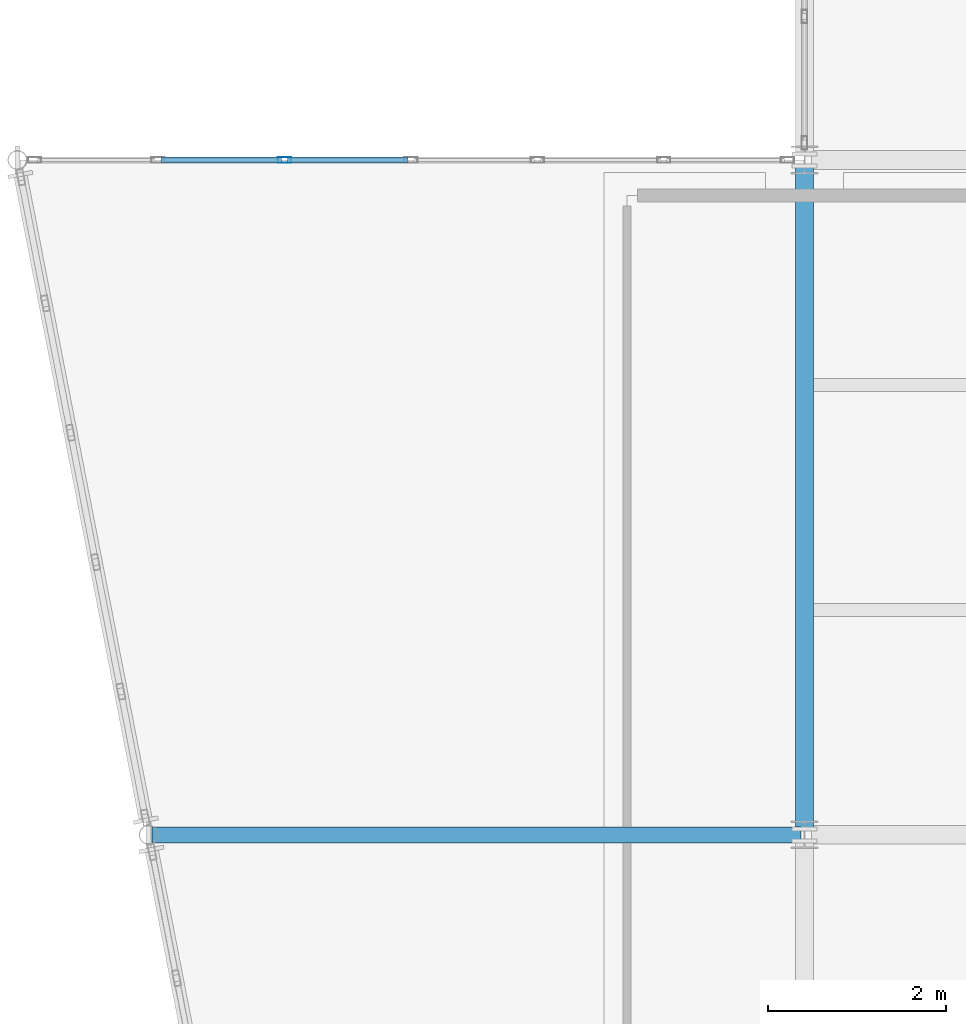
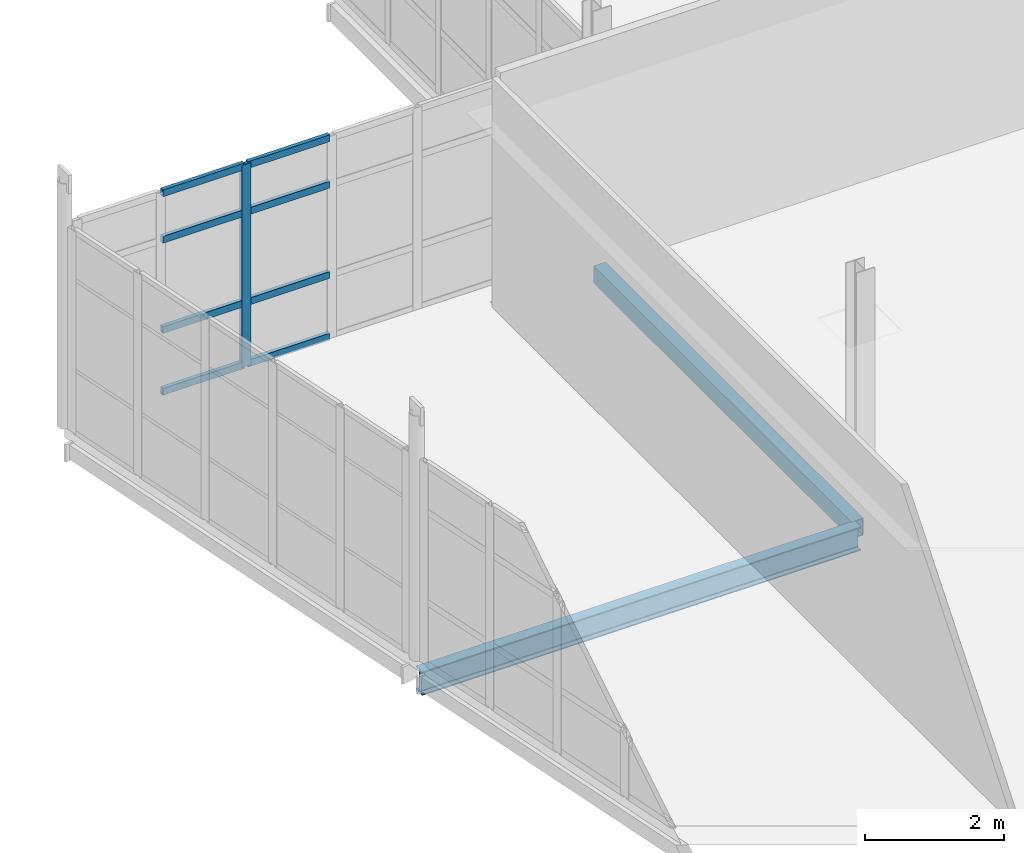
# One storey, part 102 of 166: 9 members, 2 beams, 1 element without a shape of its own.
"""IFC4 building model written with IfcOpenShell, lengths in metres."""

from ifc_helpers import new_model, si_unit, direction, frame, origin, origin_2d, place, context, subcontext, project, spatial, hollow_rectangle, i_section, extrude, material, material_profile, profile_set, type_object, element, aggregate, save


model = new_model("IFC4")

# Units and contexts
model_context = context("Model", 3, precision=1e-05, world=origin(), true_north=direction((0.0, 1.0)))
body_context = subcontext(model_context, "Body", "Model", "MODEL_VIEW")
ifc_project = project(units=[si_unit("LENGTHUNIT", "METRE"), si_unit("AREAUNIT", "SQUARE_METRE"), si_unit("VOLUMEUNIT", "CUBIC_METRE"), si_unit("PLANEANGLEUNIT", "RADIAN"), si_unit("MASSUNIT", "GRAM", prefix="KILO")], contexts=[model_context])

# Site, building, storey
site_placement = place(None, origin())
site = spatial("IfcSite", under=ifc_project, at=site_placement, CompositionType="ELEMENT")
building_placement = place(site_placement, origin())
building = spatial("IfcBuilding", under=site, at=building_placement, Name="Caisbarro Railhouse Central Library", CompositionType="ELEMENT")
storey_placement = place(building_placement, frame((0.0, 0.0, 9.360107421875)))
storey = spatial("IfcBuildingStorey", under=building, at=storey_placement, Name="L02", CompositionType="ELEMENT", Elevation=9.360107421875)

# Beams
ifc_material_1 = material(Name="Steel ASTM A572 Grade 50", Category="steel")
ifc_material_profile_1 = material_profile(ifc_material_1, i_section(OverallWidth=0.180908203125, OverallDepth=0.4169921875, WebThickness=0.010986328125, FlangeThickness=0.018310546875, FilletRadius=0.01611328125, at=origin_2d()), Name="W410X85.0")
ifc_profile_set_1 = profile_set([ifc_material_profile_1], Name="Steel ASTM A572 Grade 50")
beam_type_1 = type_object("IfcBeamType", Name="BM-G09", PredefinedType="BEAM", material=ifc_profile_set_1)
beam_1_placement = place(storey_placement, frame((109.654052734375, 98.800048828125, -0.4287109375), z_axis=(1.0, 0.0, 0.0), x_axis=(0.0, 1.0, 0.0)))
element("IfcBeam", 1, at=beam_1_placement, inside=storey, type_object=beam_type_1, Name="G09 beam L02 #1752", PredefinedType="BEAM", context=body_context, shape_type="SweptSolid", body=[
    extrude(i_section(OverallWidth=0.180908203125, OverallDepth=0.4169921875, WebThickness=0.010986328125, FlangeThickness=0.018310546875, FilletRadius=0.01611328125, at=origin_2d()), origin(), (0.0, 0.0, 1.0), 7.305908203125),
])
ifc_material_profile_2 = material_profile(ifc_material_1, hollow_rectangle(XDim=0.199951171875, YDim=0.300048828125, WallThickness=0.012451171875, at=origin_2d()), Name="HSS300X200X12.5")
ifc_profile_set_2 = profile_set([ifc_material_profile_2], Name="Steel ASTM A572 Grade 50")
beam_type_2 = type_object("IfcBeamType", Name="BM-SP02", PredefinedType="SPANDREL", material=ifc_profile_set_2)
beam_2_placement = place(storey_placement, frame((117.0, 98.8798828125, -0.3701171875), z_axis=(0.0, 1.0, 0.0), x_axis=(-1.0, 0.0, 0.0)))
element("IfcBeam", 2, at=beam_2_placement, inside=storey, type_object=beam_type_2, Name="SP02 beam L02 #1511", PredefinedType="SPANDREL", context=body_context, shape_type="SweptSolid", body=[
    extrude(hollow_rectangle(XDim=0.199951171875, YDim=0.300048828125, WallThickness=0.012451171875, at=origin_2d()), origin(), (0.0, 0.0, 1.0), 7.440185546875),
])

# Curtain wall, members
ifc_material_2 = material(Name="Anodised architectural aluminium", Category="aluminium")
curtain_wall_type = type_object("IfcCurtainWallType", Name="CW-CW03", PredefinedType="NOTDEFINED", material=ifc_material_2)
curtain_wall_placement = place(storey_placement, origin())
curtain_wall = element("IfcCurtainWall", 3, at=curtain_wall_placement, inside=storey, type_object=curtain_wall_type, Name="CW03 curtain wall L02 #131", PredefinedType="NOTDEFINED")
ifc_material_profile_3 = material_profile(ifc_material_2, hollow_rectangle(XDim=0.06494140625, YDim=0.14990234375, WallThickness=0.00390625, at=origin_2d()), Name="ALU-MUL-65X150")
ifc_profile_set_3 = profile_set([ifc_material_profile_3], Name="Anodised architectural aluminium")
member_type_1 = type_object("IfcMemberType", Name="CWM-M02", PredefinedType="MULLION", material=ifc_profile_set_3)
member_1_placement = place(storey_placement, frame((111.14404296875, 106.39990234375, 0.0), z_axis=(0.0, 0.0, 1.0), x_axis=(0.0, 1.0, 0.0)))
member_1 = element("IfcMember", 4, at=member_1_placement, type_object=member_type_1, Name="CW03 mullion 3", PredefinedType="MULLION", context=body_context, shape_type="SweptSolid", body=[
    extrude(hollow_rectangle(XDim=0.06494140625, YDim=0.14990234375, WallThickness=0.00390625, at=origin_2d()), origin(), (0.0, 0.0, 1.0), 3.559814453125),
])
ifc_material_profile_4 = material_profile(ifc_material_2, hollow_rectangle(XDim=0.06494140625, YDim=0.1201171875, WallThickness=0.00341796875, at=origin_2d()), Name="ALU-TRN-65X120")
ifc_profile_set_4 = profile_set([ifc_material_profile_4], Name="Anodised architectural aluminium")
member_type_2 = type_object("IfcMemberType", Name="CWT-T02", PredefinedType="USERDEFINED", material=ifc_profile_set_4)
member_2_placement = place(storey_placement, frame((109.75244140625, 106.39990234375, 0.032470703125), z_axis=(1.0, 0.0, 0.0), x_axis=(0.0, 1.0, 0.0)))
member_2 = element("IfcMember", 5, at=member_2_placement, type_object=member_type_2, Name="CW03 transom 2.1", ObjectType="TRANSOM", PredefinedType="USERDEFINED", context=body_context, shape_type="SweptSolid", body=[
    extrude(hollow_rectangle(XDim=0.06494140625, YDim=0.1201171875, WallThickness=0.00341796875, at=origin_2d()), origin(), (0.0, 0.0, 1.0), 1.359130859375),
])
member_3_placement = place(storey_placement, frame((109.75244140625, 106.39990234375, 1.119873046875), z_axis=(1.0, 0.0, 0.0), x_axis=(0.0, 1.0, 0.0)))
member_3 = element("IfcMember", 6, at=member_3_placement, type_object=member_type_2, Name="CW03 transom 2.2", ObjectType="TRANSOM", PredefinedType="USERDEFINED", context=body_context, shape_type="SweptSolid", body=[
    extrude(hollow_rectangle(XDim=0.06494140625, YDim=0.1201171875, WallThickness=0.00341796875, at=origin_2d()), origin(), (0.0, 0.0, 1.0), 1.359130859375),
])
member_4_placement = place(storey_placement, frame((109.75244140625, 106.39990234375, 2.7099609375), z_axis=(1.0, 0.0, 0.0), x_axis=(0.0, 1.0, 0.0)))
member_4 = element("IfcMember", 7, at=member_4_placement, type_object=member_type_2, Name="CW03 transom 2.3", ObjectType="TRANSOM", PredefinedType="USERDEFINED", context=body_context, shape_type="SweptSolid", body=[
    extrude(hollow_rectangle(XDim=0.06494140625, YDim=0.1201171875, WallThickness=0.00341796875, at=origin_2d()), origin(), (0.0, 0.0, 1.0), 1.359130859375),
])
member_5_placement = place(storey_placement, frame((109.75244140625, 106.39990234375, 3.52734375), z_axis=(1.0, 0.0, 0.0), x_axis=(0.0, 1.0, 0.0)))
member_5 = element("IfcMember", 8, at=member_5_placement, type_object=member_type_2, Name="CW03 transom 2.4", ObjectType="TRANSOM", PredefinedType="USERDEFINED", context=body_context, shape_type="SweptSolid", body=[
    extrude(hollow_rectangle(XDim=0.06494140625, YDim=0.1201171875, WallThickness=0.00341796875, at=origin_2d()), origin(), (0.0, 0.0, 1.0), 1.359130859375),
])
member_6_placement = place(storey_placement, frame((111.176513671875, 106.39990234375, 0.032470703125), z_axis=(1.0, 0.0, 0.0), x_axis=(0.0, 1.0, 0.0)))
member_6 = element("IfcMember", 9, at=member_6_placement, type_object=member_type_2, Name="CW03 transom 3.1", ObjectType="TRANSOM", PredefinedType="USERDEFINED", context=body_context, shape_type="SweptSolid", body=[
    extrude(hollow_rectangle(XDim=0.06494140625, YDim=0.1201171875, WallThickness=0.00341796875, at=origin_2d()), origin(), (0.0, 0.0, 1.0), 1.35888671875),
])
member_7_placement = place(storey_placement, frame((111.176513671875, 106.39990234375, 1.119873046875), z_axis=(1.0, 0.0, 0.0), x_axis=(0.0, 1.0, 0.0)))
member_7 = element("IfcMember", 10, at=member_7_placement, type_object=member_type_2, Name="CW03 transom 3.2", ObjectType="TRANSOM", PredefinedType="USERDEFINED", context=body_context, shape_type="SweptSolid", body=[
    extrude(hollow_rectangle(XDim=0.06494140625, YDim=0.1201171875, WallThickness=0.00341796875, at=origin_2d()), origin(), (0.0, 0.0, 1.0), 1.35888671875),
])
member_8_placement = place(storey_placement, frame((111.176513671875, 106.39990234375, 2.7099609375), z_axis=(1.0, 0.0, 0.0), x_axis=(0.0, 1.0, 0.0)))
member_8 = element("IfcMember", 11, at=member_8_placement, type_object=member_type_2, Name="CW03 transom 3.3", ObjectType="TRANSOM", PredefinedType="USERDEFINED", context=body_context, shape_type="SweptSolid", body=[
    extrude(hollow_rectangle(XDim=0.06494140625, YDim=0.1201171875, WallThickness=0.00341796875, at=origin_2d()), origin(), (0.0, 0.0, 1.0), 1.35888671875),
])
member_9_placement = place(storey_placement, frame((111.176513671875, 106.39990234375, 3.52734375), z_axis=(1.0, 0.0, 0.0), x_axis=(0.0, 1.0, 0.0)))
member_9 = element("IfcMember", 12, at=member_9_placement, type_object=member_type_2, Name="CW03 transom 3.4", ObjectType="TRANSOM", PredefinedType="USERDEFINED", context=body_context, shape_type="SweptSolid", body=[
    extrude(hollow_rectangle(XDim=0.06494140625, YDim=0.1201171875, WallThickness=0.00341796875, at=origin_2d()), origin(), (0.0, 0.0, 1.0), 1.35888671875),
])
aggregate(curtain_wall, [member_1, member_2, member_3, member_4, member_5, member_6, member_7, member_8, member_9])

save(model, "model.ifc")
